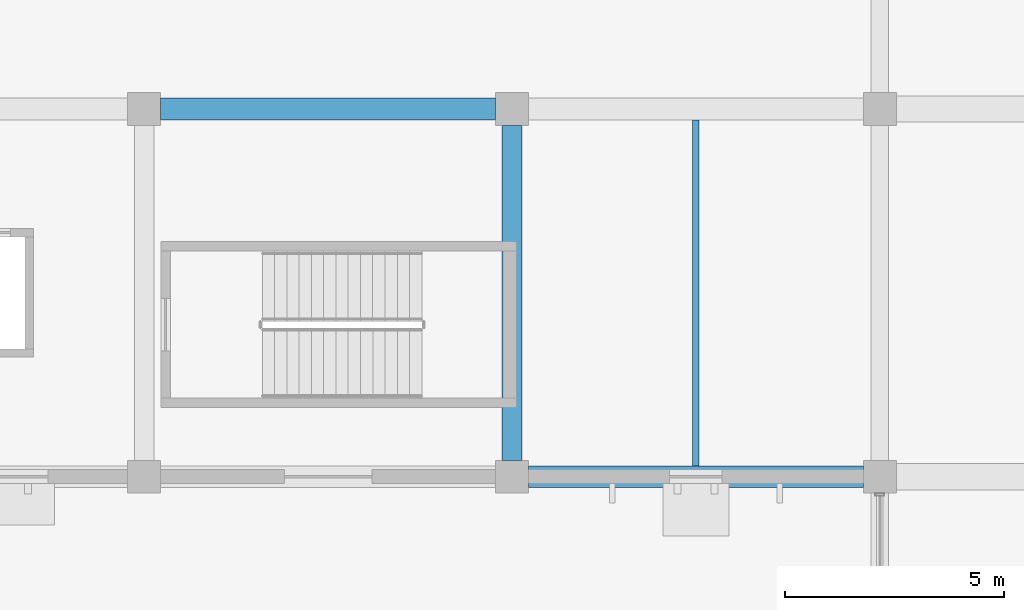
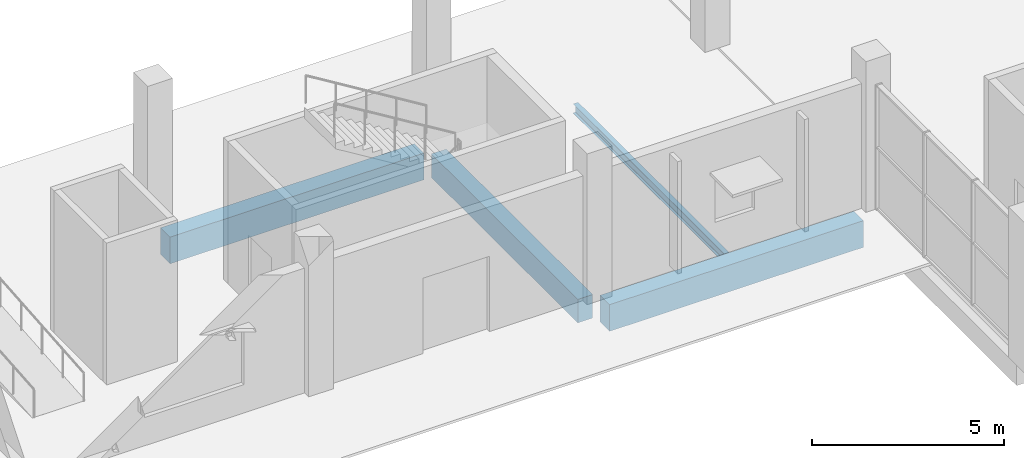
# One storey, part 15 of 130: 4 beams.
"""IFC4 building model written with IfcOpenShell, lengths in metres."""

from ifc_helpers import new_model, si_unit, direction, frame, origin, origin_2d, place, context, subcontext, project, spatial, rectangle, i_section, extrude, material, material_profile, profile_set, type_object, element, save


model = new_model("IFC4")

# Units and contexts
model_context = context("Model", 3, precision=1e-05, world=origin(), true_north=direction((0.0, 1.0)))
body_context = subcontext(model_context, "Body", "Model", "MODEL_VIEW")
ifc_project = project(units=[si_unit("LENGTHUNIT", "METRE"), si_unit("AREAUNIT", "SQUARE_METRE"), si_unit("VOLUMEUNIT", "CUBIC_METRE"), si_unit("PLANEANGLEUNIT", "RADIAN"), si_unit("MASSUNIT", "GRAM", prefix="KILO"), si_unit("THERMODYNAMICTEMPERATUREUNIT", "KELVIN")], contexts=[model_context])

# Site, building, storey
site_placement = place(None, origin())
site = spatial("IfcSite", under=ifc_project, at=site_placement, CompositionType="ELEMENT")
building_placement = place(site_placement, origin())
building = spatial("IfcBuilding", under=site, at=building_placement, Name="Nduvali Passage Aquatics Centre", CompositionType="ELEMENT")
storey_placement = place(building_placement, origin())
storey = spatial("IfcBuildingStorey", under=building, at=storey_placement, Name="L00", CompositionType="ELEMENT", Elevation=0.0)

# Beams
ifc_material_1 = material(Name="Concrete C40/50", Category="concrete")
ifc_material_profile_1 = material_profile(ifc_material_1, rectangle(XDim=0.449951171875, YDim=0.75, at=origin_2d()), Name="RC 450x750")
ifc_profile_set_1 = profile_set([ifc_material_profile_1], Name="Concrete C40/50")
beam_type_1 = type_object("IfcBeamType", Name="STR-BM-RC4575", PredefinedType="BEAM", material=ifc_profile_set_1)
beam_1_placement = place(storey_placement, frame((16.800048828125, 33.97509765625, -0.715087890625), z_axis=(0.0, 1.0, 0.0), x_axis=(-1.0, 0.0, 0.0)))
element("IfcBeam", 1, at=beam_1_placement, inside=storey, type_object=beam_type_1, Name="L00 Primary Y-Girder B3-0121", PredefinedType="BEAM", context=body_context, shape_type="SweptSolid", body=[
    extrude(rectangle(XDim=0.449951171875, YDim=0.75, at=origin_2d()), origin(), (0.0, 0.0, 1.0), 7.64990234375),
])
ifc_material_profile_2 = material_profile(ifc_material_1, rectangle(XDim=0.5, YDim=0.85009765625, at=origin_2d()), Name="RC 500x850")
ifc_profile_set_2 = profile_set([ifc_material_profile_2], Name="Concrete C40/50")
beam_type_2 = type_object("IfcBeamType", Name="STR-BM-RC5085", PredefinedType="BEAM", material=ifc_profile_set_2)
beam_2_placement = place(storey_placement, frame((17.175048828125, 33.60009765625, -0.764892578125), z_axis=(1.0, 0.0, 0.0), x_axis=(0.0, 1.0, 0.0)))
element("IfcBeam", 2, at=beam_2_placement, inside=storey, type_object=beam_type_2, Name="L00 Primary X-Girder B2-0027", PredefinedType="BEAM", context=body_context, shape_type="SweptSolid", body=[
    extrude(rectangle(XDim=0.5, YDim=0.85009765625, at=origin_2d()), origin(), (0.0, 0.0, 1.0), 7.64990234375),
])
beam_3_placement = place(storey_placement, frame((8.77490234375, 42.0, -0.764892578125), z_axis=(1.0, 0.0, 0.0), x_axis=(0.0, 1.0, 0.0)))
element("IfcBeam", 3, at=beam_3_placement, inside=storey, type_object=beam_type_2, Name="L00 Primary X-Girder B2-0039", PredefinedType="BEAM", context=body_context, shape_type="SweptSolid", body=[
    extrude(rectangle(XDim=0.5, YDim=0.85009765625, at=origin_2d()), origin(), (0.0, 0.0, 1.0), 7.650146484375),
])
ifc_material_2 = material(Name="Steel S355", Category="steel")
ifc_material_profile_3 = material_profile(ifc_material_2, i_section(OverallWidth=0.14990234375, OverallDepth=0.300048828125, WebThickness=0.007080078125, FlangeThickness=0.0107421875, FilletRadius=0.014892578125, at=origin_2d()), Name="IPE 300")
ifc_profile_set_3 = profile_set([ifc_material_profile_3], Name="Steel S355")
beam_type_3 = type_object("IfcBeamType", Name="STR-JST-IPE300", PredefinedType="JOIST", material=ifc_profile_set_3)
beam_4_placement = place(storey_placement, frame((21.0, 33.85009765625, -0.493896484375), z_axis=(0.0, 1.0, 0.0), x_axis=(-1.0, 0.0, 0.0)))
element("IfcBeam", 4, at=beam_4_placement, inside=storey, type_object=beam_type_3, Name="L00 Secondary Joist J7-0307", PredefinedType="JOIST", context=body_context, shape_type="SweptSolid", body=[
    extrude(i_section(OverallWidth=0.14990234375, OverallDepth=0.300048828125, WebThickness=0.007080078125, FlangeThickness=0.0107421875, FilletRadius=0.014892578125, at=origin_2d()), origin(), (0.0, 0.0, 1.0), 7.89990234375),
])

save(model, "model.ifc")
